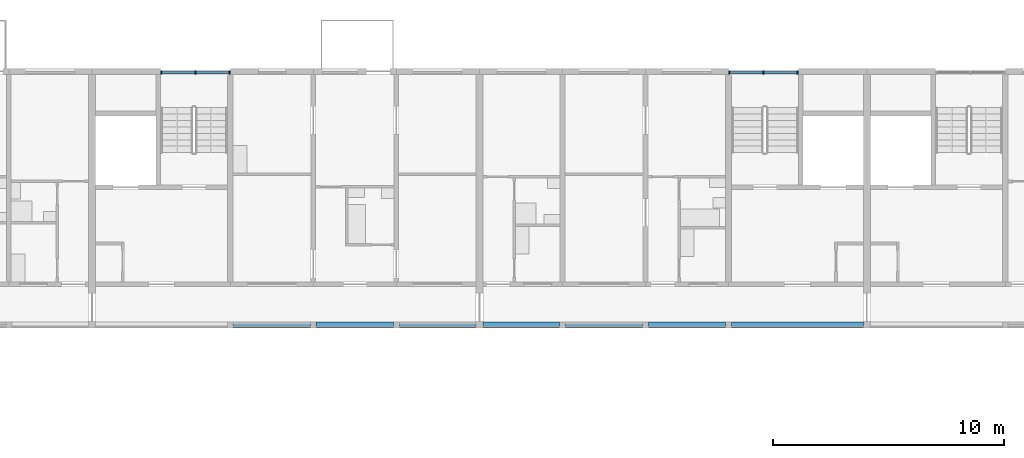
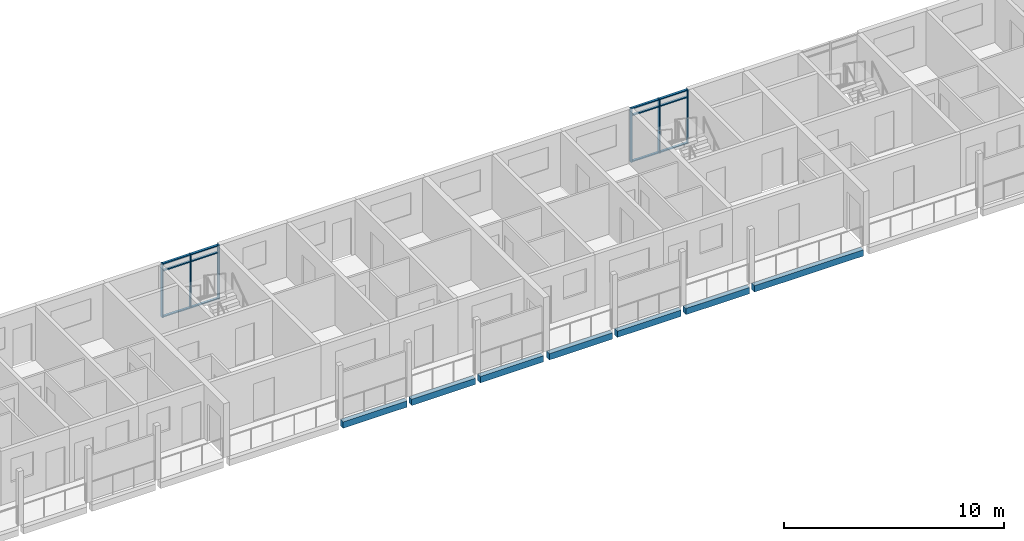
# One storey, part 17 of 115: 18 members, 7 beams, 2 elements without a shape of their own.
"""IFC4 building model written with IfcOpenShell, lengths in metres."""

from ifc_helpers import new_model, si_unit, direction, frame, origin, origin_2d, place, context, subcontext, project, spatial, rectangle, extrude, material, material_profile, profile_set, type_object, element, aggregate, save


model = new_model("IFC4")

# Units and contexts
model_context = context("Model", 3, precision=1e-05, world=origin(), true_north=direction((0.0, 1.0)))
body_context = subcontext(model_context, "Body", "Model", "MODEL_VIEW")
ifc_project = project(units=[si_unit("LENGTHUNIT", "METRE"), si_unit("AREAUNIT", "SQUARE_METRE"), si_unit("VOLUMEUNIT", "CUBIC_METRE"), si_unit("PLANEANGLEUNIT", "RADIAN"), si_unit("MASSUNIT", "GRAM", prefix="KILO")], contexts=[model_context])

# Site, building, storey
site_placement = place(None, origin())
site = spatial("IfcSite", under=ifc_project, at=site_placement, CompositionType="ELEMENT")
building_placement = place(site_placement, origin())
building = spatial("IfcBuilding", under=site, at=building_placement, Name="Ridgestep Commons", CompositionType="ELEMENT")
storey_placement = place(building_placement, frame((0.0, 0.0, 6.0)))
storey = spatial("IfcBuildingStorey", under=building, at=storey_placement, Name="L02", CompositionType="ELEMENT", Elevation=6.0)

# Beams
ifc_material_1 = material(Name="Precast concrete C40/50", Category="concrete")
ifc_material_profile_1 = material_profile(ifc_material_1, rectangle(XDim=0.25, YDim=0.35009765625, at=origin_2d()), Name="PC 250x350")
ifc_profile_set_1 = profile_set([ifc_material_profile_1], Name="Precast concrete C40/50")
beam_type = type_object("IfcBeamType", Name="Loggia edge beam 250 x 350", PredefinedType="SPANDREL", material=ifc_profile_set_1)
beam_1_placement = place(storey_placement, frame((51.72509765625, 66.125, -0.375), z_axis=(1.0, 0.0, 0.0), x_axis=(0.0, 1.0, 0.0)))
element("IfcBeam", 1, at=beam_1_placement, inside=storey, type_object=beam_type, Name="Loggia edge beam B3T3 L02", PredefinedType="SPANDREL", context=body_context, shape_type="SweptSolid", body=[
    extrude(rectangle(XDim=0.25, YDim=0.35009765625, at=origin_2d()), origin(), (0.0, 0.0, 1.0), 3.349853515625),
])
beam_2_placement = place(storey_placement, frame((55.324951171875, 66.125, -0.375), z_axis=(1.0, 0.0, 0.0), x_axis=(0.0, 1.0, 0.0)))
element("IfcBeam", 2, at=beam_2_placement, inside=storey, type_object=beam_type, Name="Loggia edge beam B3T2 L02", PredefinedType="SPANDREL", context=body_context, shape_type="SweptSolid", body=[
    extrude(rectangle(XDim=0.25, YDim=0.35009765625, at=origin_2d()), origin(), (0.0, 0.0, 1.0), 3.35009765625),
])
for number, where, z_axis, x_axis, name in (
    (3, (58.925048828125, 66.125, -0.375), (1.0, 0.0, 0.0), (0.0, 1.0, 0.0), "Loggia edge beam B3T1 L02"),
    (4, (62.550048828125, 66.125, -0.375), (1.0, 0.0, 0.0), (0.0, 1.0, 0.0), "Loggia edge beam B4T1 L02"),
):
    element("IfcBeam", number, at=place(storey_placement, frame(where, z_axis=z_axis, x_axis=x_axis)), inside=storey, type_object=beam_type, Name=name, PredefinedType="SPANDREL", context=body_context, shape_type="SweptSolid", body=[
        extrude(rectangle(XDim=0.25, YDim=0.35009765625, at=origin_2d()), origin(), (0.0, 0.0, 1.0), 3.324951171875),
    ])
beam_3_placement = place(storey_placement, frame((66.125, 66.125, -0.375), z_axis=(1.0, 0.0, 0.0), x_axis=(0.0, 1.0, 0.0)))
element("IfcBeam", 5, at=beam_3_placement, inside=storey, type_object=beam_type, Name="Loggia edge beam B4T2 L02", PredefinedType="SPANDREL", context=body_context, shape_type="SweptSolid", body=[
    extrude(rectangle(XDim=0.25, YDim=0.35009765625, at=origin_2d()), origin(), (0.0, 0.0, 1.0), 3.35009765625),
])
beam_4_placement = place(storey_placement, frame((69.72509765625, 66.125, -0.375), z_axis=(1.0, 0.0, 0.0), x_axis=(0.0, 1.0, 0.0)))
element("IfcBeam", 6, at=beam_4_placement, inside=storey, type_object=beam_type, Name="Loggia edge beam B4T3 L02", PredefinedType="SPANDREL", context=body_context, shape_type="SweptSolid", body=[
    extrude(rectangle(XDim=0.25, YDim=0.35009765625, at=origin_2d()), origin(), (0.0, 0.0, 1.0), 3.349853515625),
])
beam_5_placement = place(storey_placement, frame((73.324951171875, 66.125, -0.375), z_axis=(1.0, 0.0, 0.0), x_axis=(0.0, 1.0, 0.0)))
element("IfcBeam", 7, at=beam_5_placement, inside=storey, type_object=beam_type, Name="Loggia edge beam B4C L02", PredefinedType="SPANDREL", context=body_context, shape_type="SweptSolid", body=[
    extrude(rectangle(XDim=0.25, YDim=0.35009765625, at=origin_2d()), origin(), (0.0, 0.0, 1.0), 5.72509765625),
])

# Curtain wall, members
ifc_material_2 = material(Name="Aluminium 6063-T6 and glass", Category="aluminium")
curtain_wall_type = type_object("IfcCurtainWallType", Name="Curtain wall stair strip", PredefinedType="NOTDEFINED", material=ifc_material_2)
curtain_wall_1_placement = place(storey_placement, origin())
curtain_wall_1 = element("IfcCurtainWall", 8, at=curtain_wall_1_placement, inside=storey, type_object=curtain_wall_type, Name="Curtain wall B3C level 02", PredefinedType="NOTDEFINED")
ifc_material_3 = material(Name="Aluminium 6063-T6", Category="aluminium")
ifc_material_profile_2 = material_profile(ifc_material_3, rectangle(XDim=0.159912109375, YDim=0.06005859375, at=origin_2d()), Name="Mullion 60 x 160")
ifc_profile_set_2 = profile_set([ifc_material_profile_2], Name="Aluminium 6063-T6")
member_type_1 = type_object("IfcMemberType", Name="Mullion 60 x 160", PredefinedType="MULLION", material=ifc_profile_set_2)
member_1_placement = place(storey_placement, frame((48.60498046875, 77.080078125, 0.0), z_axis=(0.0, 0.0, 1.0), x_axis=(0.0, 1.0, 0.0)))
member_1 = element("IfcMember", 9, at=member_1_placement, type_object=member_type_1, Name="CW1 mullion 1", PredefinedType="MULLION", context=body_context, shape_type="SweptSolid", body=[
    extrude(rectangle(XDim=0.159912109375, YDim=0.06005859375, at=origin_2d()), origin(), (0.0, 0.0, 1.0), 3.0),
])
member_2_placement = place(storey_placement, frame((50.08740234375, 77.080078125, 0.0), z_axis=(0.0, 0.0, 1.0), x_axis=(0.0, 1.0, 0.0)))
member_2 = element("IfcMember", 10, at=member_2_placement, type_object=member_type_1, Name="CW1 mullion 2", PredefinedType="MULLION", context=body_context, shape_type="SweptSolid", body=[
    extrude(rectangle(XDim=0.159912109375, YDim=0.06005859375, at=origin_2d()), origin(), (0.0, 0.0, 1.0), 3.0),
])
member_3_placement = place(storey_placement, frame((51.570068359375, 77.080078125, 0.0), z_axis=(0.0, 0.0, 1.0), x_axis=(0.0, 1.0, 0.0)))
member_3 = element("IfcMember", 11, at=member_3_placement, type_object=member_type_1, Name="CW1 mullion 3", PredefinedType="MULLION", context=body_context, shape_type="SweptSolid", body=[
    extrude(rectangle(XDim=0.159912109375, YDim=0.06005859375, at=origin_2d()), origin(), (0.0, 0.0, 1.0), 3.0),
])

curtain_wall_2_placement = place(storey_placement, origin())
curtain_wall_2 = element("IfcCurtainWall", 12, at=curtain_wall_2_placement, inside=storey, type_object=curtain_wall_type, Name="Curtain wall B4C level 02", PredefinedType="NOTDEFINED")
member_4_placement = place(storey_placement, frame((73.22998046875, 77.080078125, 0.0), z_axis=(0.0, 0.0, 1.0), x_axis=(0.0, 1.0, 0.0)))
member_4 = element("IfcMember", 13, at=member_4_placement, type_object=member_type_1, Name="CW1 mullion 1", PredefinedType="MULLION", context=body_context, shape_type="SweptSolid", body=[
    extrude(rectangle(XDim=0.159912109375, YDim=0.06005859375, at=origin_2d()), origin(), (0.0, 0.0, 1.0), 3.0),
])
member_5_placement = place(storey_placement, frame((74.71240234375, 77.080078125, 0.0), z_axis=(0.0, 0.0, 1.0), x_axis=(0.0, 1.0, 0.0)))
member_5 = element("IfcMember", 14, at=member_5_placement, type_object=member_type_1, Name="CW1 mullion 2", PredefinedType="MULLION", context=body_context, shape_type="SweptSolid", body=[
    extrude(rectangle(XDim=0.159912109375, YDim=0.06005859375, at=origin_2d()), origin(), (0.0, 0.0, 1.0), 3.0),
])
member_6_placement = place(storey_placement, frame((76.195068359375, 77.080078125, 0.0), z_axis=(0.0, 0.0, 1.0), x_axis=(0.0, 1.0, 0.0)))
member_6 = element("IfcMember", 15, at=member_6_placement, type_object=member_type_1, Name="CW1 mullion 3", PredefinedType="MULLION", context=body_context, shape_type="SweptSolid", body=[
    extrude(rectangle(XDim=0.159912109375, YDim=0.06005859375, at=origin_2d()), origin(), (0.0, 0.0, 1.0), 3.0),
])

# Member
ifc_material_4 = material(Name="Aluminium 6063-T6", Category="aluminium")
ifc_material_profile_3 = material_profile(ifc_material_4, rectangle(XDim=0.1201171875, YDim=0.06005859375, at=origin_2d()), Name="Transom 60 x 120")
ifc_profile_set_3 = profile_set([ifc_material_profile_3], Name="Aluminium 6063-T6")
member_type_2 = type_object("IfcMemberType", Name="Transom 60 x 120", PredefinedType="USERDEFINED", material=ifc_profile_set_3)
member_7_placement = place(storey_placement, frame((48.635009765625, 77.080078125, 0.030029296875), z_axis=(1.0, 0.0, 0.0), x_axis=(0.0, 1.0, 0.0)))
member_7 = element("IfcMember", 16, at=member_7_placement, type_object=member_type_2, Name="CW1 transom 1.1", ObjectType="TRANSOM", PredefinedType="USERDEFINED", context=body_context, shape_type="SweptSolid", body=[
    extrude(rectangle(XDim=0.1201171875, YDim=0.06005859375, at=origin_2d()), origin(), (0.0, 0.0, 1.0), 1.422607421875),
])

member_8_placement = place(storey_placement, frame((48.635009765625, 77.080078125, 2.590087890625), z_axis=(1.0, 0.0, 0.0), x_axis=(0.0, 1.0, 0.0)))
member_8 = element("IfcMember", 17, at=member_8_placement, type_object=member_type_2, Name="CW1 transom 1.2", ObjectType="TRANSOM", PredefinedType="USERDEFINED", context=body_context, shape_type="SweptSolid", body=[
    extrude(rectangle(XDim=0.1201171875, YDim=0.06005859375, at=origin_2d()), origin(), (0.0, 0.0, 1.0), 1.422607421875),
])

member_9_placement = place(storey_placement, frame((48.635009765625, 77.080078125, 2.969970703125), z_axis=(1.0, 0.0, 0.0), x_axis=(0.0, 1.0, 0.0)))
member_9 = element("IfcMember", 18, at=member_9_placement, type_object=member_type_2, Name="CW1 transom 1.3", ObjectType="TRANSOM", PredefinedType="USERDEFINED", context=body_context, shape_type="SweptSolid", body=[
    extrude(rectangle(XDim=0.1201171875, YDim=0.06005859375, at=origin_2d()), origin(), (0.0, 0.0, 1.0), 1.422607421875),
])

member_10_placement = place(storey_placement, frame((50.117431640625, 77.080078125, 0.030029296875), z_axis=(1.0, 0.0, 0.0), x_axis=(0.0, 1.0, 0.0)))
member_10 = element("IfcMember", 19, at=member_10_placement, type_object=member_type_2, Name="CW1 transom 2.1", ObjectType="TRANSOM", PredefinedType="USERDEFINED", context=body_context, shape_type="SweptSolid", body=[
    extrude(rectangle(XDim=0.1201171875, YDim=0.06005859375, at=origin_2d()), origin(), (0.0, 0.0, 1.0), 1.422607421875),
])

member_11_placement = place(storey_placement, frame((50.117431640625, 77.080078125, 2.590087890625), z_axis=(1.0, 0.0, 0.0), x_axis=(0.0, 1.0, 0.0)))
member_11 = element("IfcMember", 20, at=member_11_placement, type_object=member_type_2, Name="CW1 transom 2.2", ObjectType="TRANSOM", PredefinedType="USERDEFINED", context=body_context, shape_type="SweptSolid", body=[
    extrude(rectangle(XDim=0.1201171875, YDim=0.06005859375, at=origin_2d()), origin(), (0.0, 0.0, 1.0), 1.422607421875),
])

member_12_placement = place(storey_placement, frame((50.117431640625, 77.080078125, 2.969970703125), z_axis=(1.0, 0.0, 0.0), x_axis=(0.0, 1.0, 0.0)))
member_12 = element("IfcMember", 21, at=member_12_placement, type_object=member_type_2, Name="CW1 transom 2.3", ObjectType="TRANSOM", PredefinedType="USERDEFINED", context=body_context, shape_type="SweptSolid", body=[
    extrude(rectangle(XDim=0.1201171875, YDim=0.06005859375, at=origin_2d()), origin(), (0.0, 0.0, 1.0), 1.422607421875),
])

aggregate(curtain_wall_1, [member_1, member_2, member_3, member_7, member_8, member_9, member_10, member_11, member_12])

member_13_placement = place(storey_placement, frame((73.260009765625, 77.080078125, 0.030029296875), z_axis=(1.0, 0.0, 0.0), x_axis=(0.0, 1.0, 0.0)))
member_13 = element("IfcMember", 22, at=member_13_placement, type_object=member_type_2, Name="CW1 transom 1.1", ObjectType="TRANSOM", PredefinedType="USERDEFINED", context=body_context, shape_type="SweptSolid", body=[
    extrude(rectangle(XDim=0.1201171875, YDim=0.06005859375, at=origin_2d()), origin(), (0.0, 0.0, 1.0), 1.422607421875),
])

member_14_placement = place(storey_placement, frame((73.260009765625, 77.080078125, 2.590087890625), z_axis=(1.0, 0.0, 0.0), x_axis=(0.0, 1.0, 0.0)))
member_14 = element("IfcMember", 23, at=member_14_placement, type_object=member_type_2, Name="CW1 transom 1.2", ObjectType="TRANSOM", PredefinedType="USERDEFINED", context=body_context, shape_type="SweptSolid", body=[
    extrude(rectangle(XDim=0.1201171875, YDim=0.06005859375, at=origin_2d()), origin(), (0.0, 0.0, 1.0), 1.422607421875),
])

member_15_placement = place(storey_placement, frame((73.260009765625, 77.080078125, 2.969970703125), z_axis=(1.0, 0.0, 0.0), x_axis=(0.0, 1.0, 0.0)))
member_15 = element("IfcMember", 24, at=member_15_placement, type_object=member_type_2, Name="CW1 transom 1.3", ObjectType="TRANSOM", PredefinedType="USERDEFINED", context=body_context, shape_type="SweptSolid", body=[
    extrude(rectangle(XDim=0.1201171875, YDim=0.06005859375, at=origin_2d()), origin(), (0.0, 0.0, 1.0), 1.422607421875),
])

member_16_placement = place(storey_placement, frame((74.742431640625, 77.080078125, 0.030029296875), z_axis=(1.0, 0.0, 0.0), x_axis=(0.0, 1.0, 0.0)))
member_16 = element("IfcMember", 25, at=member_16_placement, type_object=member_type_2, Name="CW1 transom 2.1", ObjectType="TRANSOM", PredefinedType="USERDEFINED", context=body_context, shape_type="SweptSolid", body=[
    extrude(rectangle(XDim=0.1201171875, YDim=0.06005859375, at=origin_2d()), origin(), (0.0, 0.0, 1.0), 1.422607421875),
])

member_17_placement = place(storey_placement, frame((74.742431640625, 77.080078125, 2.590087890625), z_axis=(1.0, 0.0, 0.0), x_axis=(0.0, 1.0, 0.0)))
member_17 = element("IfcMember", 26, at=member_17_placement, type_object=member_type_2, Name="CW1 transom 2.2", ObjectType="TRANSOM", PredefinedType="USERDEFINED", context=body_context, shape_type="SweptSolid", body=[
    extrude(rectangle(XDim=0.1201171875, YDim=0.06005859375, at=origin_2d()), origin(), (0.0, 0.0, 1.0), 1.422607421875),
])

member_18_placement = place(storey_placement, frame((74.742431640625, 77.080078125, 2.969970703125), z_axis=(1.0, 0.0, 0.0), x_axis=(0.0, 1.0, 0.0)))
member_18 = element("IfcMember", 27, at=member_18_placement, type_object=member_type_2, Name="CW1 transom 2.3", ObjectType="TRANSOM", PredefinedType="USERDEFINED", context=body_context, shape_type="SweptSolid", body=[
    extrude(rectangle(XDim=0.1201171875, YDim=0.06005859375, at=origin_2d()), origin(), (0.0, 0.0, 1.0), 1.422607421875),
])

aggregate(curtain_wall_2, [member_4, member_5, member_6, member_13, member_14, member_15, member_16, member_17, member_18])

save(model, "model.ifc")
